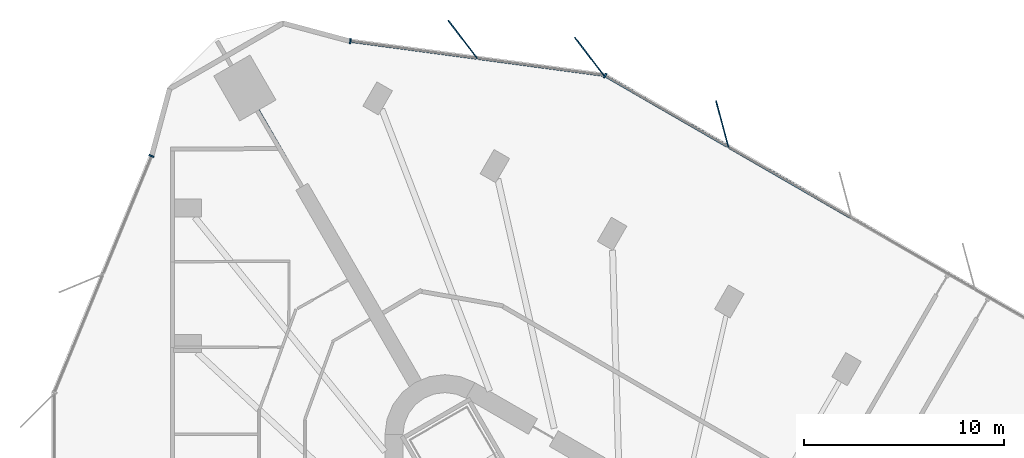
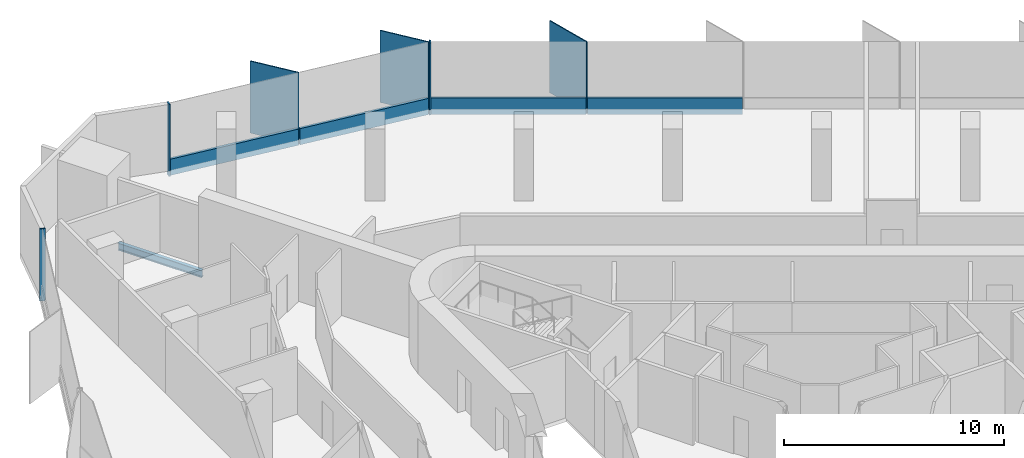
# One storey, part 6 of 14: 10 members, 1 beam, 3 elements without a shape of their own.
"""IFC4 building model written with IfcOpenShell, lengths in metres."""

from ifc_helpers import new_model, si_unit, direction, frame, origin, origin_2d, place, context, subcontext, project, spatial, rectangle, i_section, extrude, material, material_profile, profile_set, type_object, element, aggregate, save


model = new_model("IFC4")

# Units and contexts
model_context = context("Model", 3, precision=1e-05, world=origin(), true_north=direction((0.0, 1.0)))
body_context = subcontext(model_context, "Body", "Model", "MODEL_VIEW")
ifc_project = project(units=[si_unit("LENGTHUNIT", "METRE"), si_unit("AREAUNIT", "SQUARE_METRE"), si_unit("VOLUMEUNIT", "CUBIC_METRE"), si_unit("PLANEANGLEUNIT", "RADIAN"), si_unit("MASSUNIT", "GRAM", prefix="KILO")], contexts=[model_context])

# Site, building, storey
site_placement = place(None, origin())
site = spatial("IfcSite", under=ifc_project, at=site_placement, CompositionType="ELEMENT")
building_placement = place(site_placement, origin())
building = spatial("IfcBuilding", under=site, at=building_placement, Name="Tanit Gate Tower", CompositionType="ELEMENT")
storey_placement = place(building_placement, frame((0.0, 0.0, 233.199951171875)))
storey = spatial("IfcBuildingStorey", under=building, at=storey_placement, Name="L52", CompositionType="ELEMENT", Elevation=233.199951171875)

# Curtain wall, member
ifc_material_1 = material(Name="Aluminium bronze anodised and glass", Category="aluminium")
curtain_wall_type = type_object("IfcCurtainWallType", Name="Curtain wall typical mid", PredefinedType="NOTDEFINED", material=ifc_material_1)
curtain_wall_1_placement = place(storey_placement, origin())
curtain_wall_1 = element("IfcCurtainWall", 1, at=curtain_wall_1_placement, inside=storey, type_object=curtain_wall_type, Name="Curtain wall L52 NE2", PredefinedType="NOTDEFINED")
ifc_material_2 = material(Name="Aluminium bronze anodised", Category="aluminium")
ifc_material_profile_1 = material_profile(ifc_material_2, rectangle(XDim=2.39990234375, YDim=0.055908203125, at=origin_2d()), Name="56x2400 bronze fin mullion")
ifc_profile_set_1 = profile_set([ifc_material_profile_1], Name="Aluminium bronze anodised")
member_type_1 = type_object("IfcMemberType", Name="FIN MULLION 56x2400 bronze", PredefinedType="MULLION", material=ifc_profile_set_1)
member_1_placement = place(storey_placement, frame((4.772216796875, 31.29443359375, -0.300048828125), z_axis=(0.0, 0.0, 1.0), x_axis=(0.258886020591, -0.965907877772, 0.0)))
member_1 = element("IfcMember", 2, at=member_1_placement, type_object=member_type_1, Name="Fin mullion L52 NE2.5", PredefinedType="MULLION", context=body_context, shape_type="SweptSolid", body=[
    extrude(rectangle(XDim=2.39990234375, YDim=0.055908203125, at=origin_2d()), origin(), (0.0, 0.0, 1.0), 4.0),
])

# Curtain wall, members
curtain_wall_2_placement = place(storey_placement, origin())
curtain_wall_2 = element("IfcCurtainWall", 3, at=curtain_wall_2_placement, inside=storey, type_object=curtain_wall_type, Name="Curtain wall L52 NE3", PredefinedType="NOTDEFINED")
member_2_placement = place(storey_placement, frame((-1.878662109375, 34.677978515625, -0.300048828125), z_axis=(0.0, 0.0, 1.0), x_axis=(0.606564027871, -0.795034640813, 0.0)))
member_2 = element("IfcMember", 4, at=member_2_placement, type_object=member_type_1, Name="Fin mullion L52 NE3.1", PredefinedType="MULLION", context=body_context, shape_type="SweptSolid", body=[
    extrude(rectangle(XDim=2.39990234375, YDim=0.055908203125, at=origin_2d()), origin(), (0.0, 0.0, 1.0), 4.0),
])
member_3_placement = place(storey_placement, frame((-8.2119140625, 35.52978515625, -0.300048828125), z_axis=(0.0, 0.0, 1.0), x_axis=(0.606564027871, -0.795034640813, 0.0)))
member_3 = element("IfcMember", 5, at=member_3_placement, type_object=member_type_1, Name="Fin mullion L52 NE3.2", PredefinedType="MULLION", context=body_context, shape_type="SweptSolid", body=[
    extrude(rectangle(XDim=2.39990234375, YDim=0.055908203125, at=origin_2d()), origin(), (0.0, 0.0, 1.0), 4.0),
])

# Member
ifc_material_3 = material(Name="Aluminium bronze anodised", Category="aluminium")
ifc_material_profile_2 = material_profile(ifc_material_3, rectangle(XDim=0.260009765625, YDim=0.080078125, at=origin_2d()), Name="80x260 bronze mullion")
ifc_profile_set_2 = profile_set([ifc_material_profile_2], Name="Aluminium bronze anodised")
member_type_2 = type_object("IfcMemberType", Name="Mullion 80x260 typical mid", PredefinedType="MULLION", material=ifc_profile_set_2)
member_4_placement = place(storey_placement, frame((-1.08935546875, 33.715576171875, -0.300048828125), z_axis=(0.0, 0.0, 1.0), x_axis=(-0.49993994966, -0.866060071089, 0.0)))
member_4 = element("IfcMember", 6, at=member_4_placement, type_object=member_type_2, Name="Mullion L52 NE2.6", PredefinedType="MULLION", context=body_context, shape_type="SweptSolid", body=[
    extrude(rectangle(XDim=0.260009765625, YDim=0.080078125, at=origin_2d()), origin(), (0.0, 0.0, 1.0), 4.0),
])

member_5_placement = place(storey_placement, frame((-13.830078125, 35.444091796875, -0.300048828125), z_axis=(0.0, 0.0, 1.0), x_axis=(-0.133268848466, -0.991079923129, 0.0)))
member_5 = element("IfcMember", 7, at=member_5_placement, type_object=member_type_2, Name="Mullion L52 NE3.3", PredefinedType="MULLION", context=body_context, shape_type="SweptSolid", body=[
    extrude(rectangle(XDim=0.260009765625, YDim=0.080078125, at=origin_2d()), origin(), (0.0, 0.0, 1.0), 4.0),
])

# Curtain wall, member
curtain_wall_3_placement = place(storey_placement, origin())
curtain_wall_3 = element("IfcCurtainWall", 8, at=curtain_wall_3_placement, inside=storey, type_object=curtain_wall_type, Name="Curtain wall L52 W1", PredefinedType="NOTDEFINED")
member_6_placement = place(storey_placement, frame((-23.780517578125, 29.69921875, -0.300048828125), z_axis=(0.0, 0.0, 1.0), x_axis=(0.924867158401, -0.380290335549, 0.0)))
member_6 = element("IfcMember", 9, at=member_6_placement, type_object=member_type_2, Name="Mullion L52 W1.1", PredefinedType="MULLION", context=body_context, shape_type="SweptSolid", body=[
    extrude(rectangle(XDim=0.260009765625, YDim=0.080078125, at=origin_2d()), origin(), (0.0, 0.0, 1.0), 4.0),
])
aggregate(curtain_wall_3, [member_6])

# Beam
ifc_material_4 = material(Name="Steel S355", Category="steel")
ifc_material_profile_3 = material_profile(ifc_material_4, i_section(OverallWidth=0.179931640625, OverallDepth=0.39990234375, WebThickness=0.008544921875, FlangeThickness=0.013427734375, FilletRadius=0.02099609375, at=origin_2d()), Name="IPE 400")
ifc_profile_set_3 = profile_set([ifc_material_profile_3], Name="Steel S355")
beam_type = type_object("IfcBeamType", Name="RADIAL GIRDER IPE 400 S355", PredefinedType="BEAM", material=ifc_profile_set_3)
beam_placement = place(storey_placement, frame((-18.459716796875, 31.973388671875, -0.5), z_axis=(0.499992938033, -0.866029480975, 0.0), x_axis=(0.866029480975, 0.499992938033, 0.0)))
element("IfcBeam", 10, at=beam_placement, inside=storey, type_object=beam_type, Name="RADIAL GIRDER", PredefinedType="BEAM", context=body_context, shape_type="SweptSolid", body=[
    extrude(i_section(OverallWidth=0.179931640625, OverallDepth=0.39990234375, WebThickness=0.008544921875, FlangeThickness=0.013427734375, FilletRadius=0.02099609375, at=origin_2d()), origin(), (0.0, 0.0, 1.0), 4.4013671875),
])

# Member
ifc_material_5 = material(Name="Aluminium bronze anodised", Category="aluminium")
ifc_material_profile_4 = material_profile(ifc_material_5, rectangle(XDim=0.139892578125, YDim=0.89990234375, at=origin_2d()), Name="140x900 bronze transom")
ifc_profile_set_4 = profile_set([ifc_material_profile_4], Name="Aluminium bronze anodised")
member_type_3 = type_object("IfcMemberType", Name="Transom 140x900 typical mid", PredefinedType="USERDEFINED", material=ifc_profile_set_4)
member_7_placement = place(storey_placement, frame((11.20947265625, 26.615966796875, 0.150146484375), z_axis=(-0.866060282556, 0.499939583328, 0.0), x_axis=(-0.499939583328, -0.866060282556, 0.0)))
member_7 = element("IfcMember", 11, at=member_7_placement, type_object=member_type_3, Name="Transom L52 NE2.4", ObjectType="TRANSOM", PredefinedType="USERDEFINED", context=body_context, shape_type="SweptSolid", body=[
    extrude(rectangle(XDim=0.139892578125, YDim=0.89990234375, at=origin_2d()), origin(), (0.0, 0.0, 1.0), 7.040283203125),
])

member_8_placement = place(storey_placement, frame((5.042724609375, 30.17578125, 0.150146484375), z_axis=(-0.866060282556, 0.499939583328, 0.0), x_axis=(-0.499939583328, -0.866060282556, 0.0)))
member_8 = element("IfcMember", 12, at=member_8_placement, type_object=member_type_3, Name="Transom L52 NE2.5", ObjectType="TRANSOM", PredefinedType="USERDEFINED", context=body_context, shape_type="SweptSolid", body=[
    extrude(rectangle(XDim=0.139892578125, YDim=0.89990234375, at=origin_2d()), origin(), (0.0, 0.0, 1.0), 7.040283203125),
])

aggregate(curtain_wall_1, [member_1, member_4, member_7, member_8])

member_9_placement = place(storey_placement, frame((-1.203125, 33.74609375, 0.150146484375), z_axis=(-0.991077574285, 0.133286314936, 0.0), x_axis=(-0.133286314936, -0.991077574285, 0.0)))
member_9 = element("IfcMember", 13, at=member_9_placement, type_object=member_type_3, Name="Transom L52 NE3.1", ObjectType="TRANSOM", PredefinedType="USERDEFINED", context=body_context, shape_type="SweptSolid", body=[
    extrude(rectangle(XDim=0.139892578125, YDim=0.89990234375, at=origin_2d()), origin(), (0.0, 0.0, 1.0), 6.310302734375),
])

member_10_placement = place(storey_placement, frame((-7.536376953125, 34.597900390625, 0.150146484375), z_axis=(-0.991083371296, 0.13324320298, 0.0), x_axis=(-0.13324320298, -0.991083371296, 0.0)))
member_10 = element("IfcMember", 14, at=member_10_placement, type_object=member_type_3, Name="Transom L52 NE3.2", ObjectType="TRANSOM", PredefinedType="USERDEFINED", context=body_context, shape_type="SweptSolid", body=[
    extrude(rectangle(XDim=0.139892578125, YDim=0.89990234375, at=origin_2d()), origin(), (0.0, 0.0, 1.0), 6.310302734375),
])

aggregate(curtain_wall_2, [member_2, member_3, member_5, member_9, member_10])

save(model, "model.ifc")
